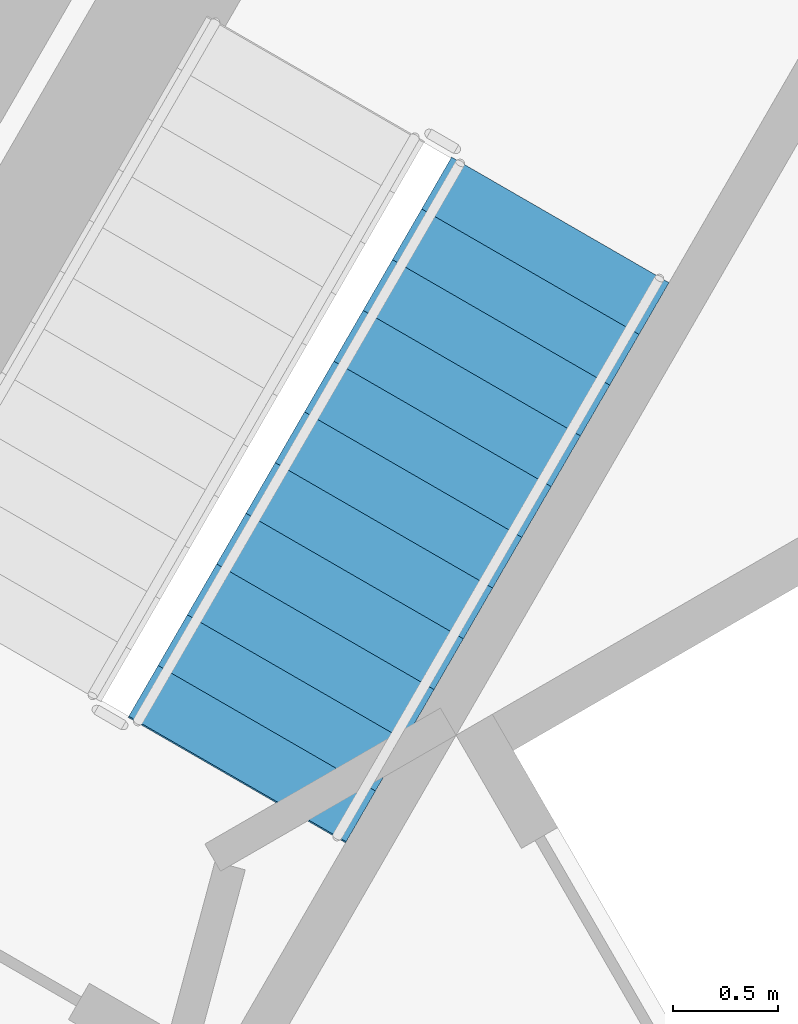
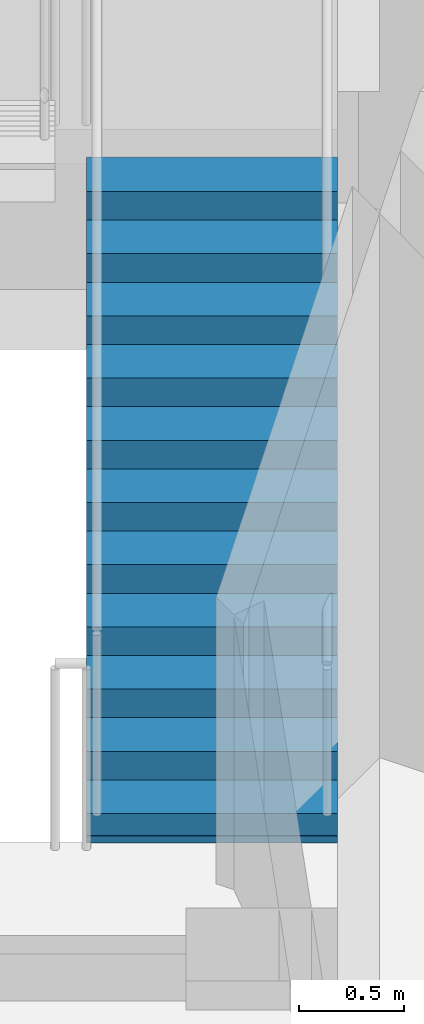
# One storey, part 11 of 15: 1 stair flight, 1 element without a shape of its own.
"""IFC4 building model written with IfcOpenShell, lengths in metres."""

import ifcopenshell
import ifcopenshell.guid

model = None  # the IFC model being written
_history = None  # IfcOwnerHistory: only IFC2X3 demands one
_inside = {}  # id of a spatial element -> (the spatial element, [elements in it])
_under = {}  # id of a project, library or spatial element -> (it, [spatial elements below it])
_declared = {}  # id of a project -> (the project, [libraries it declares])
_typed = {}  # id of a type object -> (the type object, [elements of that type])
_made_of = {}  # id of a material, layer set ... -> (it, [elements and type objects made of it])


def new_model(schema):
    """Start an empty IFC model of exactly this schema.

    Asked for "IFC4X3", IfcOpenShell would pick the latest addendum, in which some entities
    have other attributes; the version numbers below select the first issue.
    IFC2X3 requires an IfcOwnerHistory on every rooted entity: one is made here for all.
    """
    global model, _history
    if schema == "IFC4X3":
        model = ifcopenshell.file(schema_version=(4, 3, 0, 0))
    else:
        model = ifcopenshell.file(schema=schema)
    _inside.clear()
    _under.clear()
    _declared.clear()
    _typed.clear()
    _made_of.clear()
    _history = None
    if model.schema == "IFC2X3":
        org = make("IfcOrganization", Name="unknown")
        user = make(
            "IfcPersonAndOrganization",
            ThePerson=make("IfcPerson", FamilyName="unknown"),
            TheOrganization=org,
        )
        app = make(
            "IfcApplication",
            ApplicationDeveloper=org,
            Version="unknown",
            ApplicationFullName="unknown",
            ApplicationIdentifier="unknown",
        )
        _history = make(
            "IfcOwnerHistory",
            OwningUser=user,
            OwningApplication=app,
            ChangeAction="ADDED",
            CreationDate=0,
        )
    return model


def make(cls, **values):
    """One entity of the class cls with the attributes given. An attribute that is None is left unset."""
    return model.create_entity(
        cls, **{name: value for name, value in values.items() if value is not None}
    )


def rooted(cls, **values):
    """An entity with a GlobalId (a new one), such as an element, a storey or a relation."""
    return make(cls, GlobalId=ifcopenshell.guid.new(), OwnerHistory=_history, **values)


def si_unit(unit_type, name, prefix=None):
    """IfcSIUnit, for example si_unit("LENGTHUNIT", "METRE", prefix="MILLI")."""
    return make("IfcSIUnit", UnitType=unit_type, Prefix=prefix, Name=name)


def assignment(units):
    """IfcUnitAssignment: the units of a project."""
    return None if units is None else make("IfcUnitAssignment", Units=units)


def point(xyz):
    """IfcCartesianPoint."""
    return None if xyz is None else make("IfcCartesianPoint", Coordinates=xyz)


def direction(xyz):
    """IfcDirection."""
    return None if xyz is None else make("IfcDirection", DirectionRatios=xyz)


def frame(location, z_axis=None, x_axis=None):
    """IfcAxis2Placement3D, a coordinate frame: its origin and axes. An axis left out is left unset."""
    return make(
        "IfcAxis2Placement3D",
        Location=point(location),
        Axis=direction(z_axis),
        RefDirection=direction(x_axis),
    )


def origin():
    """The frame at (0, 0, 0) with its axes left unset."""
    return frame((0.0, 0.0, 0.0))


def place(relative_to, where):
    """IfcLocalPlacement: puts the frame where relative to a parent placement (None: the world)."""
    return make(
        "IfcLocalPlacement", PlacementRelTo=relative_to, RelativePlacement=where
    )


def context(
    kind, dimensions, precision=None, world=None, true_north=None, identifier=None
):
    """IfcGeometricRepresentationContext, for example the 3D "Model" context."""
    return make(
        "IfcGeometricRepresentationContext",
        ContextIdentifier=identifier,
        ContextType=kind,
        CoordinateSpaceDimension=dimensions,
        Precision=precision,
        WorldCoordinateSystem=world,
        TrueNorth=true_north,
    )


def subcontext(parent, identifier, kind, view, scale=None):
    """IfcGeometricRepresentationSubContext, for example "Body" below "Model"."""
    return make(
        "IfcGeometricRepresentationSubContext",
        ContextIdentifier=identifier,
        ContextType=kind,
        ParentContext=parent,
        TargetScale=scale,
        TargetView=view,
    )


def project(units=None, contexts=None):
    """IfcProject with its units and contexts."""
    return rooted(
        "IfcProject",
        Name="project",
        RepresentationContexts=contexts,
        UnitsInContext=assignment(units),
    )


def spatial(cls, under=None, at=None, **own):
    """A site, building, storey or space (cls), placed at a placement, below another one or the project."""
    s = rooted(cls, ObjectPlacement=at, **own)
    if under is not None:
        _under.setdefault(under.id(), (under, []))[1].append(s)
    return s


def polyline(points):
    """IfcPolyline through the points."""
    return make("IfcPolyline", Points=[point(p) for p in points])


def outline(outer, holes=None, kind="AREA"):
    """IfcArbitraryClosedProfileDef: a profile drawn as a closed curve; with holes, ...WithVoids."""
    if holes is None:
        return make("IfcArbitraryClosedProfileDef", ProfileType=kind, OuterCurve=outer)
    return make(
        "IfcArbitraryProfileDefWithVoids",
        ProfileType=kind,
        OuterCurve=outer,
        InnerCurves=holes,
    )


def extrude(swept, where, along, depth):
    """IfcExtrudedAreaSolid: the profile swept, set in the frame where, extruded along a direction by depth."""
    return make(
        "IfcExtrudedAreaSolid",
        SweptArea=swept,
        Position=where,
        ExtrudedDirection=direction(along),
        Depth=depth,
    )


def shape(context_of_items, identifier, shape_type, items):
    """IfcShapeRepresentation: the items that make up one representation, for example the "Body"."""
    return make(
        "IfcShapeRepresentation",
        ContextOfItems=context_of_items,
        RepresentationIdentifier=identifier,
        RepresentationType=shape_type,
        Items=items,
    )


def material(Name=None, Category=None):
    """IfcMaterial."""
    return make("IfcMaterial", Name=Name, Category=Category)


def layer(
    of_material, thickness, ventilated=None, Name=None, Category=None, Priority=None
):
    """IfcMaterialLayer: one layer of a wall or slab, of a material (None: an air gap)."""
    return make(
        "IfcMaterialLayer",
        Material=of_material,
        LayerThickness=thickness,
        IsVentilated=ventilated,
        Name=Name,
        Category=Category,
        Priority=Priority,
    )


def layer_set(layers, Name=None):
    """IfcMaterialLayerSet."""
    return make("IfcMaterialLayerSet", MaterialLayers=layers, LayerSetName=Name)


def made_of(thing, what):
    """Note that an element or type object is made of a material, layer set ...; save() writes the relation."""
    if what is not None:
        _made_of.setdefault(what.id(), (what, []))[1].append(thing)
    return thing


def type_object(cls, material=None, **own):
    """A type object (cls), such as IfcWallType, which elements share."""
    return made_of(rooted(cls, **own), material)


def element(
    cls,
    number,
    at=None,
    inside=None,
    cuts=None,
    type_object=None,
    material=None,
    context=None,
    identifier="Body",
    shape_type=None,
    held_by="IfcProductDefinitionShape",
    body=None,
    shapes=None,
    **own,
):
    """One element of the class cls, such as IfcWall. Its Tag is "e" and its number.

    at: its placement. inside: the storey or other place that contains it. cuts: it is an
    opening in that element (IfcRelVoidsElement). A single representation is given by context,
    identifier, shape_type and body (its items); several are given by shapes. held_by: the class
    of the entity that holds the representations. save() writes the other relations.
    """
    e = rooted(cls, Tag="e%d" % number, ObjectPlacement=at, **own)
    if body is not None:
        shapes = [shape(context, identifier, shape_type, body)]
    if shapes is not None:
        e.Representation = make(held_by, Representations=shapes)
    if inside is not None:
        _inside.setdefault(inside.id(), (inside, []))[1].append(e)
    if cuts is not None:
        rooted(
            "IfcRelVoidsElement", RelatingBuildingElement=cuts, RelatedOpeningElement=e
        )
    if type_object is not None:
        _typed.setdefault(type_object.id(), (type_object, []))[1].append(e)
    return made_of(e, material)


def aggregate(whole, parts):
    """IfcRelAggregates: a whole, such as a stair, and the parts it consists of."""
    return rooted("IfcRelAggregates", RelatingObject=whole, RelatedObjects=parts)


def save(model, path):
    """Write the relations noted so far, then the file.

    IfcRelAggregates (storeys below a building ...), IfcRelContainedInSpatialStructure (elements
    in a storey), IfcRelDefinesByType, IfcRelAssociatesMaterial and IfcRelDeclares: one each for
    every whole, place, type object, material and project.
    """
    for whole, parts in _under.values():
        aggregate(whole, parts)
    for where, things in _inside.values():
        rooted(
            "IfcRelContainedInSpatialStructure",
            RelatedElements=things,
            RelatingStructure=where,
        )
    for kind, things in _typed.values():
        rooted("IfcRelDefinesByType", RelatedObjects=things, RelatingType=kind)
    for what, things in _made_of.values():
        rooted("IfcRelAssociatesMaterial", RelatedObjects=things, RelatingMaterial=what)
    for by, libraries in _declared.values():
        rooted("IfcRelDeclares", RelatingContext=by, RelatedDefinitions=libraries)
    model.write(path)


model = new_model("IFC4")

# Units and contexts
model_context = context("Model", 3, precision=1e-05, world=origin(), true_north=direction((0.0, 1.0)))
body_context = subcontext(model_context, "Body", "Model", "MODEL_VIEW")
ifc_project = project(units=[si_unit("LENGTHUNIT", "METRE"), si_unit("AREAUNIT", "SQUARE_METRE"), si_unit("VOLUMEUNIT", "CUBIC_METRE"), si_unit("PLANEANGLEUNIT", "RADIAN"), si_unit("MASSUNIT", "GRAM", prefix="KILO")], contexts=[model_context])

# Site, building, storey
site_placement = place(None, origin())
site = spatial("IfcSite", under=ifc_project, at=site_placement, CompositionType="ELEMENT")
building_placement = place(site_placement, origin())
building = spatial("IfcBuilding", under=site, at=building_placement, Name="Tramontana Tower", CompositionType="ELEMENT")
storey_placement = place(building_placement, frame((0.0, 0.0, 237.199951171875)))
storey = spatial("IfcBuildingStorey", under=building, at=storey_placement, Name="L55", CompositionType="ELEMENT", Elevation=237.199951171875)

# Stair, stair flight
ifc_material_1 = material(Name="Concrete 40 MPa", Category="concrete")
stair_type = type_object("IfcStairType", Name="EXIT STAIR 24 RISERS", PredefinedType="HALF_TURN_STAIR", material=ifc_material_1)
stair_placement = place(storey_placement, origin())
stair = element("IfcStair", 1, at=stair_placement, inside=storey, type_object=stair_type, Name="L55 Exit stair ST1", PredefinedType="HALF_TURN_STAIR")
ifc_material_2 = material(Name="Concrete 40 MPa", Category="concrete")
ifc_layer = layer(ifc_material_2, 0.14990234375)
ifc_layer_set = layer_set([ifc_layer], Name="EXIT STAIR FLIGHT")
stair_flight_type = type_object("IfcStairFlightType", Name="EXIT STAIR FLIGHT", PredefinedType="STRAIGHT", material=ifc_layer_set)
stair_flight_placement = place(storey_placement, frame((-1.39111328125, 4.590576171875, 0.0), z_axis=(0.0, 0.0, 1.0), x_axis=(0.5, 0.866025403784, 0.0)))
stair_flight = element("IfcStairFlight", 2, at=stair_flight_placement, type_object=stair_flight_type, Name="ST1 flight 1", NumberOfRisers=12, NumberOfTreads=11, PredefinedType="STRAIGHT", RiserHeight=0.166666667, TreadLength=0.28, context=body_context, shape_type="SweptSolid", body=[
    extrude(outline(polyline([(-0.006103515625, 0.0), (-0.006103515625, 0.0400390625), (0.0, 0.0400390625), (0.0, 0.166748046875), (0.280029296875, 0.166748046875), (0.280029296875, 0.333251953125), (0.56005859375, 0.333251953125), (0.56005859375, 0.5), (0.840087890625, 0.5), (0.840087890625, 0.666748046875), (1.1201171875, 0.666748046875), (1.1201171875, 0.833251953125), (1.39990234375, 0.833251953125), (1.39990234375, 1.0), (1.679931640625, 1.0), (1.679931640625, 1.166748046875), (1.9599609375, 1.166748046875), (1.9599609375, 1.333251953125), (2.239990234375, 1.333251953125), (2.239990234375, 1.5), (2.52001953125, 1.5), (2.52001953125, 1.666748046875), (2.800048828125, 1.666748046875), (2.800048828125, 1.833251953125), (3.080078125, 1.833251953125), (3.0859375, 1.833251953125), (3.0859375, 1.658935546875), (0.299072265625, 0.0), (-0.006103515625, 0.0)])), frame((0.0, 0.60009765625, 0.0), z_axis=(0.0, -1.0, 0.0), x_axis=(1.0, 0.0, 0.0)), (0.0, 0.0, 1.0), 1.199951171875),
])
aggregate(stair, [stair_flight])

save(model, "model.ifc")
